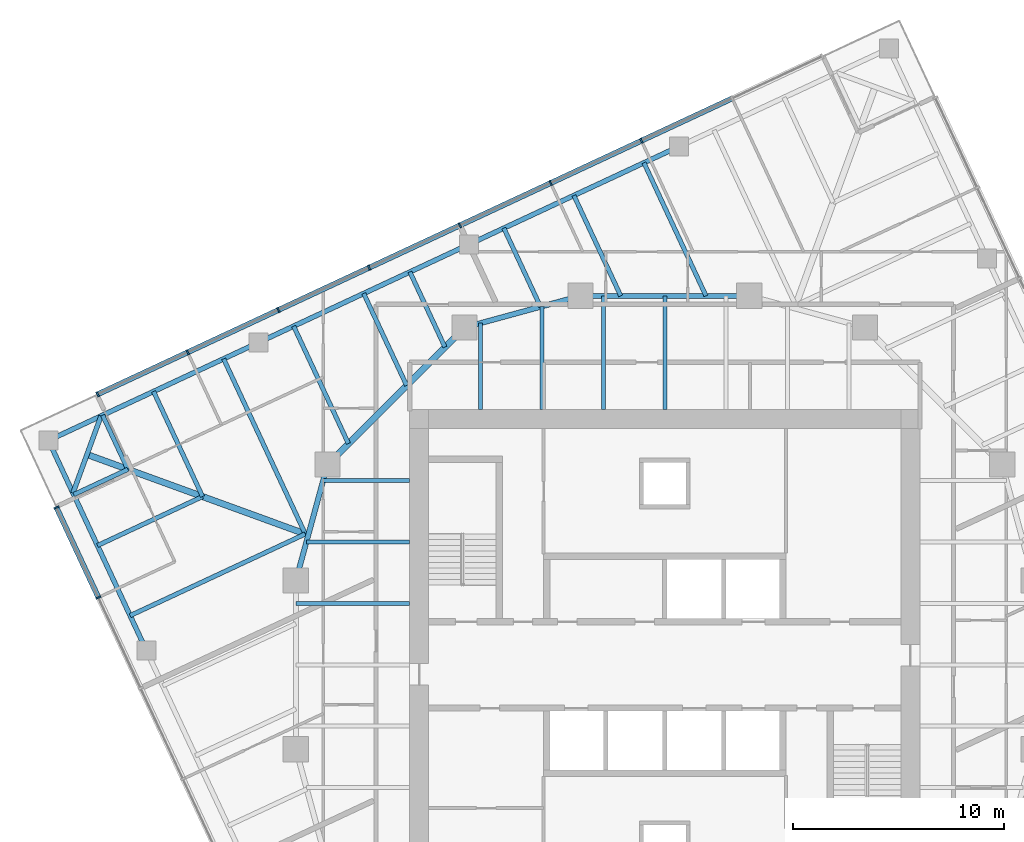
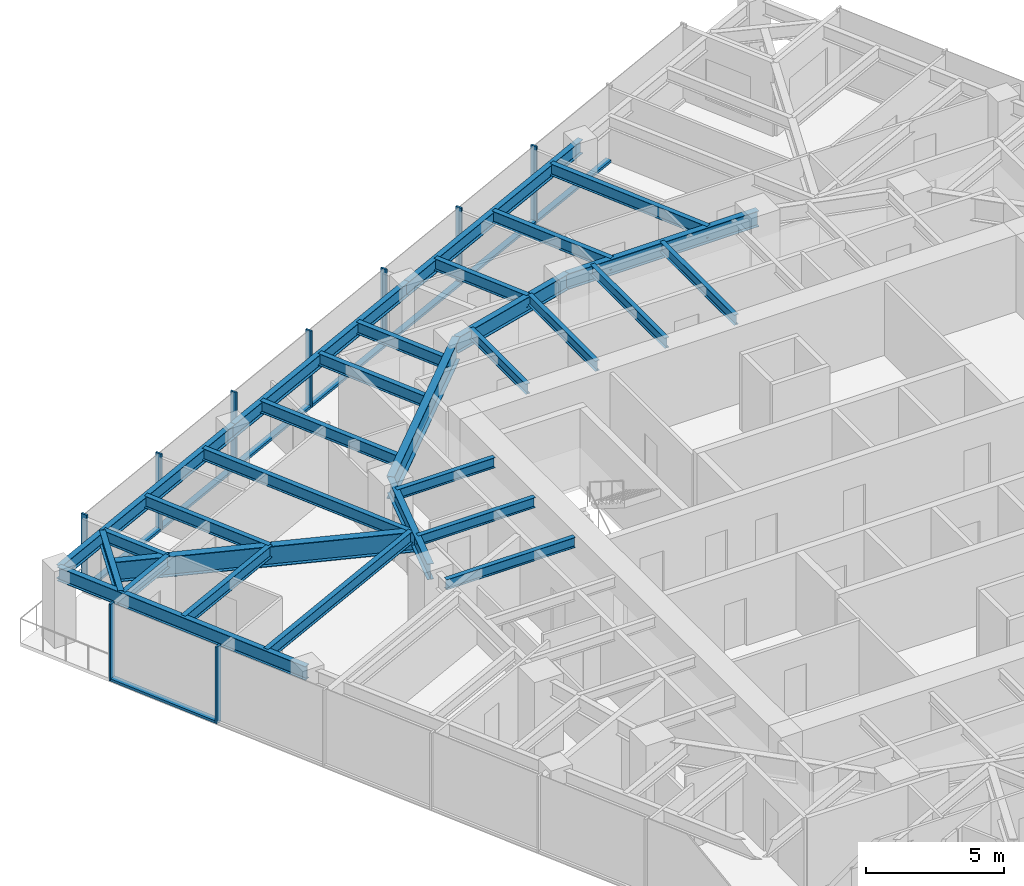
# One storey, part 4 of 12: 29 beams, 17 members, 2 elements without a shape of their own.
"""IFC4 building model written with IfcOpenShell, lengths in metres."""

from ifc_helpers import new_model, si_unit, direction, frame, origin, origin_2d, place, context, subcontext, project, spatial, rectangle, i_section, extrude, material, material_profile, profile_set, type_object, element, aggregate, save


model = new_model("IFC4")

# Units and contexts
model_context = context("Model", 3, precision=1e-05, world=origin(), true_north=direction((0.0, 1.0)))
body_context = subcontext(model_context, "Body", "Model", "MODEL_VIEW")
ifc_project = project(units=[si_unit("LENGTHUNIT", "METRE"), si_unit("AREAUNIT", "SQUARE_METRE"), si_unit("VOLUMEUNIT", "CUBIC_METRE"), si_unit("PLANEANGLEUNIT", "RADIAN"), si_unit("MASSUNIT", "GRAM", prefix="KILO")], contexts=[model_context])

# Site, building, storey
site_placement = place(None, origin())
site = spatial("IfcSite", under=ifc_project, at=site_placement, CompositionType="ELEMENT")
building_placement = place(site_placement, origin())
building = spatial("IfcBuilding", under=site, at=building_placement, Name="Torsade Residences", CompositionType="ELEMENT")
storey_placement = place(building_placement, frame((0.0, 0.0, 189.60009765625)))
storey = spatial("IfcBuildingStorey", under=building, at=storey_placement, Name="L52", CompositionType="ELEMENT", Elevation=189.60009765625)

# Beams
ifc_material_1 = material(Name="Steel grade 300", Category="steel")
ifc_material_profile_1 = material_profile(ifc_material_1, i_section(OverallWidth=0.300048828125, OverallDepth=0.89990234375, WebThickness=0.011962890625, FlangeThickness=0.02490234375, at=origin_2d()), Name="900WB175")
ifc_profile_set_1 = profile_set([ifc_material_profile_1], Name="Steel grade 300")
beam_type_1 = type_object("IfcBeamType", Name="CORNER GIRDER 900WB175", PredefinedType="BEAM", material=ifc_profile_set_1)
beam_1_placement = place(storey_placement, frame((12.5908203125, 39.97607421875, 2.7998046875), z_axis=(0.93969447651, -0.342015044723, 0.0), x_axis=(0.342015044723, 0.93969447651, 0.0)))
element("IfcBeam", 1, at=beam_1_placement, inside=storey, type_object=beam_type_1, Name="Corner girder 13 L53", PredefinedType="BEAM", context=body_context, shape_type="SweptSolid", body=[
    extrude(i_section(OverallWidth=0.300048828125, OverallDepth=0.89990234375, WebThickness=0.011962890625, FlangeThickness=0.02490234375, at=origin_2d()), origin(), (0.0, 0.0, 1.0), 11.170654296875),
])
ifc_material_2 = material(Name="Steel grade 300", Category="steel")
ifc_material_profile_2 = material_profile(ifc_material_2, i_section(OverallWidth=0.22802734375, OverallDepth=0.60205078125, WebThickness=0.010498046875, FlangeThickness=0.014892578125, FilletRadius=0.013916015625, at=origin_2d()), Name="610UB101")
ifc_profile_set_2 = profile_set([ifc_material_profile_2], Name="Steel grade 300")
beam_type_2 = type_object("IfcBeamType", Name="CORNER TRIMMER 610UB101", PredefinedType="BEAM", material=ifc_profile_set_2)
beam_2_placement = place(storey_placement, frame((11.92578125, 38.14892578125, 2.948974609375), z_axis=(0.342005152204, 0.939698076972, 0.0), x_axis=(-0.939698076972, 0.342005152204, 0.0)))
element("IfcBeam", 2, at=beam_2_placement, inside=storey, type_object=beam_type_2, Name="Corner trimmer 13 L53", PredefinedType="BEAM", context=body_context, shape_type="SweptSolid", body=[
    extrude(i_section(OverallWidth=0.22802734375, OverallDepth=0.60205078125, WebThickness=0.010498046875, FlangeThickness=0.014892578125, FilletRadius=0.013916015625, at=origin_2d()), origin(), (0.0, 0.0, 1.0), 3.88916015625),
])
ifc_material_3 = material(Name="Steel grade 300", Category="steel")
ifc_material_profile_3 = material_profile(ifc_material_3, i_section(OverallWidth=0.22900390625, OverallDepth=0.612060546875, WebThickness=0.011962890625, FlangeThickness=0.01953125, FilletRadius=0.013916015625, at=origin_2d()), Name="610UB125")
ifc_profile_set_3 = profile_set([ifc_material_profile_3], Name="Steel grade 300")
beam_type_3 = type_object("IfcBeamType", Name="EDGE BEAM 610UB125", PredefinedType="SPANDREL", material=ifc_profile_set_3)
beam_3_placement = place(storey_placement, frame((40.671875, 54.587646484375, 2.94384765625), z_axis=(-0.906305009094, -0.422624219007, 0.0), x_axis=(0.422624219007, -0.906305009094, 0.0)))
element("IfcBeam", 3, at=beam_3_placement, inside=storey, type_object=beam_type_3, Name="Edge beam 10 L53", PredefinedType="SPANDREL", context=body_context, shape_type="SweptSolid", body=[
    extrude(i_section(OverallWidth=0.22900390625, OverallDepth=0.612060546875, WebThickness=0.011962890625, FlangeThickness=0.01953125, FilletRadius=0.013916015625, at=origin_2d()), origin(), (0.0, 0.0, 1.0), 11.000244140625),
])
for number, where, z_axis, x_axis, name in (
    (4, (30.702392578125, 49.938720703125, 2.94384765625), (-0.906313510001, -0.422605988587, 0.0), (0.422605988587, -0.906313510001, 0.0), "Edge beam 11 L53"),
    (5, (20.73291015625, 45.2900390625, 2.94384765625), (-0.90630104482, -0.422632720171, 0.0), (0.422632720171, -0.90630104482, 0.0), "Edge beam 12 L53"),
):
    element("IfcBeam", number, at=place(storey_placement, frame(where, z_axis=z_axis, x_axis=x_axis)), inside=storey, type_object=beam_type_3, Name=name, PredefinedType="SPANDREL", context=body_context, shape_type="SweptSolid", body=[
        extrude(i_section(OverallWidth=0.22900390625, OverallDepth=0.612060546875, WebThickness=0.011962890625, FlangeThickness=0.01953125, FilletRadius=0.013916015625, at=origin_2d()), origin(), (0.0, 0.0, 1.0), 11.0),
    ])
beam_4_placement = place(storey_placement, frame((10.763671875, 40.64111328125, 2.94384765625), z_axis=(0.422614489543, -0.906309546032, 0.0), x_axis=(0.906309546032, 0.422614489543, 0.0)))
element("IfcBeam", 6, at=beam_4_placement, inside=storey, type_object=beam_type_3, Name="Edge beam 13 L53", PredefinedType="SPANDREL", context=body_context, shape_type="SweptSolid", body=[
    extrude(i_section(OverallWidth=0.22900390625, OverallDepth=0.612060546875, WebThickness=0.011962890625, FlangeThickness=0.01953125, FilletRadius=0.013916015625, at=origin_2d()), origin(), (0.0, 0.0, 1.0), 10.999755859375),
])
ifc_material_4 = material(Name="Steel grade 300", Category="steel")
ifc_material_profile_4 = material_profile(ifc_material_4, i_section(OverallWidth=0.18994140625, OverallDepth=0.4541015625, WebThickness=0.008544921875, FlangeThickness=0.0126953125, FilletRadius=0.011474609375, at=origin_2d()), Name="460UB67.1")
ifc_profile_set_4 = profile_set([ifc_material_profile_4], Name="Steel grade 300")
beam_type_4 = type_object("IfcBeamType", Name="INNER FLOOR BEAM 460UB67.1", PredefinedType="JOIST", material=ifc_profile_set_4)
beam_5_placement = place(storey_placement, frame((31.262451171875, 42.10009765625, 3.02294921875), z_axis=(0.0, 1.0, 0.0), x_axis=(-1.0, 0.0, 0.0)))
element("IfcBeam", 7, at=beam_5_placement, inside=storey, type_object=beam_type_4, Name="Inner floor beam IN01 L53", PredefinedType="JOIST", context=body_context, shape_type="SweptSolid", body=[
    extrude(i_section(OverallWidth=0.18994140625, OverallDepth=0.4541015625, WebThickness=0.008544921875, FlangeThickness=0.0126953125, FilletRadius=0.011474609375, at=origin_2d()), origin(), (0.0, 0.0, 1.0), 4.10791015625),
])
beam_6_placement = place(storey_placement, frame((34.175048828125, 42.10009765625, 3.02294921875), z_axis=(0.0, 1.0, 0.0), x_axis=(-1.0, 0.0, 0.0)))
element("IfcBeam", 8, at=beam_6_placement, inside=storey, type_object=beam_type_4, Name="Inner floor beam IN02 L53", PredefinedType="JOIST", context=body_context, shape_type="SweptSolid", body=[
    extrude(i_section(OverallWidth=0.18994140625, OverallDepth=0.4541015625, WebThickness=0.008544921875, FlangeThickness=0.0126953125, FilletRadius=0.011474609375, at=origin_2d()), origin(), (0.0, 0.0, 1.0), 4.902099609375),
])
for number, where, z_axis, x_axis, name in (
    (9, (37.08740234375, 42.10009765625, 3.02294921875), (0.0, 1.0, 0.0), (-1.0, 0.0, 0.0), "Inner floor beam IN03 L53"),
    (10, (40.0, 42.10009765625, 3.02294921875), (0.0, 1.0, 0.0), (-1.0, 0.0, 0.0), "Inner floor beam IN04 L53"),
):
    element("IfcBeam", number, at=place(storey_placement, frame(where, z_axis=z_axis, x_axis=x_axis)), inside=storey, type_object=beam_type_4, Name=name, PredefinedType="JOIST", context=body_context, shape_type="SweptSolid", body=[
        extrude(i_section(OverallWidth=0.18994140625, OverallDepth=0.4541015625, WebThickness=0.008544921875, FlangeThickness=0.0126953125, FilletRadius=0.011474609375, at=origin_2d()), origin(), (0.0, 0.0, 1.0), 5.39990234375),
    ])
beam_7_placement = place(storey_placement, frame((27.89990234375, 38.737548828125, 3.02294921875), z_axis=(-1.0, 0.0, 0.0), x_axis=(0.0, -1.0, 0.0)))
element("IfcBeam", 11, at=beam_7_placement, inside=storey, type_object=beam_type_4, Name="Inner floor beam IW01 L53", PredefinedType="JOIST", context=body_context, shape_type="SweptSolid", body=[
    extrude(i_section(OverallWidth=0.18994140625, OverallDepth=0.4541015625, WebThickness=0.008544921875, FlangeThickness=0.0126953125, FilletRadius=0.011474609375, at=origin_2d()), origin(), (0.0, 0.0, 1.0), 4.10791015625),
])
beam_8_placement = place(storey_placement, frame((27.89990234375, 35.824951171875, 3.02294921875), z_axis=(-1.0, 0.0, 0.0), x_axis=(0.0, -1.0, 0.0)))
element("IfcBeam", 12, at=beam_8_placement, inside=storey, type_object=beam_type_4, Name="Inner floor beam IW02 L53", PredefinedType="JOIST", context=body_context, shape_type="SweptSolid", body=[
    extrude(i_section(OverallWidth=0.18994140625, OverallDepth=0.4541015625, WebThickness=0.008544921875, FlangeThickness=0.0126953125, FilletRadius=0.011474609375, at=origin_2d()), origin(), (0.0, 0.0, 1.0), 4.902099609375),
])
beam_9_placement = place(storey_placement, frame((27.89990234375, 32.91259765625, 3.02294921875), z_axis=(-1.0, 0.0, 0.0), x_axis=(0.0, -1.0, 0.0)))
element("IfcBeam", 13, at=beam_9_placement, inside=storey, type_object=beam_type_4, Name="Inner floor beam IW03 L53", PredefinedType="JOIST", context=body_context, shape_type="SweptSolid", body=[
    extrude(i_section(OverallWidth=0.18994140625, OverallDepth=0.4541015625, WebThickness=0.008544921875, FlangeThickness=0.0126953125, FilletRadius=0.011474609375, at=origin_2d()), origin(), (0.0, 0.0, 1.0), 5.39990234375),
])

# Curtain wall, members
ifc_material_5 = material(Name="Aluminium and glass", Category="aluminium")
curtain_wall_type = type_object("IfcCurtainWallType", Name="FRITTED GLASS CURTAIN WALL MID ZONE", PredefinedType="NOTDEFINED", material=ifc_material_5)
curtain_wall_1_placement = place(storey_placement, origin())
curtain_wall_1 = element("IfcCurtainWall", 14, at=curtain_wall_1_placement, inside=storey, type_object=curtain_wall_type, Name="Curtain wall L52 face 7", PredefinedType="NOTDEFINED")
ifc_material_6 = material(Name="Aluminium mullion", Category="aluminium")
ifc_material_profile_5 = material_profile(ifc_material_6, rectangle(XDim=0.25, YDim=0.080078125, at=origin_2d()), Name="MID ZONE CURTAIN WALL MULLION 250x80")
ifc_profile_set_5 = profile_set([ifc_material_profile_5], Name="Aluminium mullion")
member_type_1 = type_object("IfcMemberType", Name="MID ZONE CURTAIN WALL MULLION 250x80", PredefinedType="MULLION", material=ifc_profile_set_5)
member_1_placement = place(storey_placement, frame((38.8896484375, 54.85986328125, 0.0), z_axis=(0.0, 0.0, 1.0), x_axis=(0.422618261978, -0.906307786926, 0.0)))
member_1 = element("IfcMember", 15, at=member_1_placement, type_object=member_type_1, Name="Mullion 3", PredefinedType="MULLION", context=body_context, shape_type="SweptSolid", body=[
    extrude(rectangle(XDim=0.25, YDim=0.080078125, at=origin_2d()), origin(), (0.0, 0.0, 1.0), 3.39990234375),
])
member_2_placement = place(storey_placement, frame((34.584716796875, 52.8525390625, 0.0), z_axis=(0.0, 0.0, 1.0), x_axis=(0.422618261978, -0.906307786926, 0.0)))
member_2 = element("IfcMember", 16, at=member_2_placement, type_object=member_type_1, Name="Mullion 4", PredefinedType="MULLION", context=body_context, shape_type="SweptSolid", body=[
    extrude(rectangle(XDim=0.25, YDim=0.080078125, at=origin_2d()), origin(), (0.0, 0.0, 1.0), 3.39990234375),
])
member_3_placement = place(storey_placement, frame((30.27978515625, 50.844970703125, 0.0), z_axis=(0.0, 0.0, 1.0), x_axis=(0.422618261978, -0.906307786926, 0.0)))
member_3 = element("IfcMember", 17, at=member_3_placement, type_object=member_type_1, Name="Mullion 5", PredefinedType="MULLION", context=body_context, shape_type="SweptSolid", body=[
    extrude(rectangle(XDim=0.25, YDim=0.080078125, at=origin_2d()), origin(), (0.0, 0.0, 1.0), 3.39990234375),
])
member_4_placement = place(storey_placement, frame((25.974853515625, 48.837646484375, 0.0), z_axis=(0.0, 0.0, 1.0), x_axis=(0.422618261978, -0.906307786926, 0.0)))
member_4 = element("IfcMember", 18, at=member_4_placement, type_object=member_type_1, Name="Mullion 6", PredefinedType="MULLION", context=body_context, shape_type="SweptSolid", body=[
    extrude(rectangle(XDim=0.25, YDim=0.080078125, at=origin_2d()), origin(), (0.0, 0.0, 1.0), 3.39990234375),
])
member_5_placement = place(storey_placement, frame((21.669921875, 46.830322265625, 0.0), z_axis=(0.0, 0.0, 1.0), x_axis=(0.422618261978, -0.906307786926, 0.0)))
member_5 = element("IfcMember", 19, at=member_5_placement, type_object=member_type_1, Name="Mullion 7", PredefinedType="MULLION", context=body_context, shape_type="SweptSolid", body=[
    extrude(rectangle(XDim=0.25, YDim=0.080078125, at=origin_2d()), origin(), (0.0, 0.0, 1.0), 3.39990234375),
])
member_6_placement = place(storey_placement, frame((17.364990234375, 44.82275390625, 0.0), z_axis=(0.0, 0.0, 1.0), x_axis=(0.422618261978, -0.906307786926, 0.0)))
member_6 = element("IfcMember", 20, at=member_6_placement, type_object=member_type_1, Name="Mullion 8", PredefinedType="MULLION", context=body_context, shape_type="SweptSolid", body=[
    extrude(rectangle(XDim=0.25, YDim=0.080078125, at=origin_2d()), origin(), (0.0, 0.0, 1.0), 3.39990234375),
])
member_7_placement = place(storey_placement, frame((13.09619140625, 42.832275390625, 0.0), z_axis=(0.0, 0.0, 1.0), x_axis=(0.422618261978, -0.906307786926, 0.0)))
member_7 = element("IfcMember", 21, at=member_7_placement, type_object=member_type_1, Name="Mullion 9", PredefinedType="MULLION", context=body_context, shape_type="SweptSolid", body=[
    extrude(rectangle(XDim=0.25, YDim=0.080078125, at=origin_2d()), origin(), (0.0, 0.0, 1.0), 3.39990234375),
])

curtain_wall_2_placement = place(storey_placement, origin())
curtain_wall_2 = element("IfcCurtainWall", 22, at=curtain_wall_2_placement, inside=storey, type_object=curtain_wall_type, Name="Curtain wall L52 face 10", PredefinedType="NOTDEFINED")
member_8_placement = place(storey_placement, frame((11.14208984375, 37.46337890625, 0.0), z_axis=(0.0, 0.0, 1.0), x_axis=(0.906307786926, 0.422618261978, 0.0)))
member_8 = element("IfcMember", 23, at=member_8_placement, type_object=member_type_1, Name="Mullion 1", PredefinedType="MULLION", context=body_context, shape_type="SweptSolid", body=[
    extrude(rectangle(XDim=0.25, YDim=0.080078125, at=origin_2d()), origin(), (0.0, 0.0, 1.0), 3.39990234375),
])
member_9_placement = place(storey_placement, frame((13.132568359375, 33.194580078125, 0.0), z_axis=(0.0, 0.0, 1.0), x_axis=(0.906307786926, 0.422618261978, 0.0)))
member_9 = element("IfcMember", 24, at=member_9_placement, type_object=member_type_1, Name="Mullion 2", PredefinedType="MULLION", context=body_context, shape_type="SweptSolid", body=[
    extrude(rectangle(XDim=0.25, YDim=0.080078125, at=origin_2d()), origin(), (0.0, 0.0, 1.0), 3.39990234375),
])

# Member
ifc_material_7 = material(Name="Aluminium transom", Category="aluminium")
ifc_material_profile_6 = material_profile(ifc_material_7, rectangle(XDim=0.25, YDim=0.110107421875, at=origin_2d()), Name="MID ZONE CURTAIN WALL TRANSOM 250x110")
ifc_profile_set_6 = profile_set([ifc_material_profile_6], Name="Aluminium transom")
member_type_2 = type_object("IfcMemberType", Name="MID ZONE CURTAIN WALL TRANSOM 250x110", PredefinedType="USERDEFINED", material=ifc_profile_set_6)
member_10_placement = place(storey_placement, frame((43.158447265625, 56.8505859375, 0.054931640625), z_axis=(-0.906305976097, -0.422622145291, 0.0), x_axis=(0.422622145291, -0.906305976097, 0.0)))
member_10 = element("IfcMember", 25, at=member_10_placement, type_object=member_type_2, Name="Transom 2.1", ObjectType="TRANSOM", PredefinedType="USERDEFINED", context=body_context, shape_type="SweptSolid", body=[
    extrude(rectangle(XDim=0.25, YDim=0.110107421875, at=origin_2d()), origin(), (0.0, 0.0, 1.0), 4.669921875),
])

member_11_placement = place(storey_placement, frame((38.853515625, 54.843017578125, 0.054931640625), z_axis=(-0.906305976097, -0.422622145291, 0.0), x_axis=(0.422622145291, -0.906305976097, 0.0)))
member_11 = element("IfcMember", 26, at=member_11_placement, type_object=member_type_2, Name="Transom 3.1", ObjectType="TRANSOM", PredefinedType="USERDEFINED", context=body_context, shape_type="SweptSolid", body=[
    extrude(rectangle(XDim=0.25, YDim=0.110107421875, at=origin_2d()), origin(), (0.0, 0.0, 1.0), 4.669921875),
])

member_12_placement = place(storey_placement, frame((34.548583984375, 52.835693359375, 0.054931640625), z_axis=(-0.90631531293, -0.422602122035, 0.0), x_axis=(0.422602122035, -0.90631531293, 0.0)))
member_12 = element("IfcMember", 27, at=member_12_placement, type_object=member_type_2, Name="Transom 4.1", ObjectType="TRANSOM", PredefinedType="USERDEFINED", context=body_context, shape_type="SweptSolid", body=[
    extrude(rectangle(XDim=0.25, YDim=0.110107421875, at=origin_2d()), origin(), (0.0, 0.0, 1.0), 4.670166015625),
])

member_13_placement = place(storey_placement, frame((30.243408203125, 50.828125, 0.054931640625), z_axis=(-0.906305976097, -0.422622145291, 0.0), x_axis=(0.422622145291, -0.906305976097, 0.0)))
member_13 = element("IfcMember", 28, at=member_13_placement, type_object=member_type_2, Name="Transom 5.1", ObjectType="TRANSOM", PredefinedType="USERDEFINED", context=body_context, shape_type="SweptSolid", body=[
    extrude(rectangle(XDim=0.25, YDim=0.110107421875, at=origin_2d()), origin(), (0.0, 0.0, 1.0), 4.669921875),
])

member_14_placement = place(storey_placement, frame((25.9384765625, 48.82080078125, 0.054931640625), z_axis=(-0.906305976097, -0.422622145291, 0.0), x_axis=(0.422622145291, -0.906305976097, 0.0)))
member_14 = element("IfcMember", 29, at=member_14_placement, type_object=member_type_2, Name="Transom 6.1", ObjectType="TRANSOM", PredefinedType="USERDEFINED", context=body_context, shape_type="SweptSolid", body=[
    extrude(rectangle(XDim=0.25, YDim=0.110107421875, at=origin_2d()), origin(), (0.0, 0.0, 1.0), 4.669921875),
])

member_15_placement = place(storey_placement, frame((21.633544921875, 46.813232421875, 0.054931640625), z_axis=(-0.906305976097, -0.422622145291, 0.0), x_axis=(0.422622145291, -0.906305976097, 0.0)))
member_15 = element("IfcMember", 30, at=member_15_placement, type_object=member_type_2, Name="Transom 7.1", ObjectType="TRANSOM", PredefinedType="USERDEFINED", context=body_context, shape_type="SweptSolid", body=[
    extrude(rectangle(XDim=0.25, YDim=0.110107421875, at=origin_2d()), origin(), (0.0, 0.0, 1.0), 4.669921875),
])

member_16_placement = place(storey_placement, frame((17.32861328125, 44.805908203125, 0.054931640625), z_axis=(-0.906305687176, -0.422622764878, 0.0), x_axis=(0.422622764878, -0.906305687176, 0.0)))
member_16 = element("IfcMember", 31, at=member_16_placement, type_object=member_type_2, Name="Transom 8.1", ObjectType="TRANSOM", PredefinedType="USERDEFINED", context=body_context, shape_type="SweptSolid", body=[
    extrude(rectangle(XDim=0.25, YDim=0.110107421875, at=origin_2d()), origin(), (0.0, 0.0, 1.0), 4.630126953125),
])

aggregate(curtain_wall_1, [member_1, member_2, member_3, member_4, member_5, member_6, member_7, member_10, member_11, member_12, member_13, member_14, member_15, member_16])

member_17_placement = place(storey_placement, frame((11.158935546875, 37.427001953125, 0.054931640625), z_axis=(0.422642962277, -0.906296268578, 0.0), x_axis=(0.906296268578, 0.422642962277, 0.0)))
member_17 = element("IfcMember", 32, at=member_17_placement, type_object=member_type_2, Name="Transom 1.1", ObjectType="TRANSOM", PredefinedType="USERDEFINED", context=body_context, shape_type="SweptSolid", body=[
    extrude(rectangle(XDim=0.25, YDim=0.110107421875, at=origin_2d()), origin(), (0.0, 0.0, 1.0), 4.6298828125),
])

aggregate(curtain_wall_2, [member_8, member_9, member_17])

# Beams
ifc_material_8 = material(Name="Steel grade 300", Category="steel")
ifc_material_profile_7 = material_profile(ifc_material_8, i_section(OverallWidth=0.300048828125, OverallDepth=1.0, WebThickness=0.01611328125, FlangeThickness=0.028076171875, at=origin_2d()), Name="1000WB215")
ifc_profile_set_7 = profile_set([ifc_material_profile_7], Name="Steel grade 300")
beam_type_5 = type_object("IfcBeamType", Name="RING CORNER GIRDER 1000WB215", PredefinedType="BEAM", material=ifc_profile_set_7)
beam_10_placement = place(storey_placement, frame((30.5, 46.0, 2.75), z_axis=(-0.707106781187, -0.707106781187, 0.0), x_axis=(0.707106781187, -0.707106781187, 0.0)))
element("IfcBeam", 33, at=beam_10_placement, inside=storey, type_object=beam_type_5, Name="Ring girder IR07 L53", PredefinedType="BEAM", context=body_context, shape_type="SweptSolid", body=[
    extrude(i_section(OverallWidth=0.300048828125, OverallDepth=1.0, WebThickness=0.01611328125, FlangeThickness=0.028076171875, at=origin_2d()), origin(), (0.0, 0.0, 1.0), 9.1923828125),
])
ifc_material_9 = material(Name="Steel grade 300", Category="steel")
ifc_material_profile_8 = material_profile(ifc_material_9, i_section(OverallWidth=0.25, OverallDepth=0.699951171875, WebThickness=0.010009765625, FlangeThickness=0.02001953125, at=origin_2d()), Name="700WB130")
ifc_profile_set_8 = profile_set([ifc_material_profile_8], Name="Steel grade 300")
beam_type_6 = type_object("IfcBeamType", Name="RING GIRDER 700WB130", PredefinedType="BEAM", material=ifc_profile_set_8)
beam_11_placement = place(storey_placement, frame((44.0, 47.5, 2.89990234375), z_axis=(-1.0, 0.0, 0.0), x_axis=(0.0, -1.0, 0.0)))
element("IfcBeam", 34, at=beam_11_placement, inside=storey, type_object=beam_type_6, Name="Ring girder IR05 L53", PredefinedType="BEAM", context=body_context, shape_type="SweptSolid", body=[
    extrude(i_section(OverallWidth=0.25, OverallDepth=0.699951171875, WebThickness=0.010009765625, FlangeThickness=0.02001953125, at=origin_2d()), origin(), (0.0, 0.0, 1.0), 8.0),
])
for number, where, z_axis, x_axis, name in (
    (35, (36.0, 47.5, 2.89990234375), (-0.964763821238, -0.263117405792, 0.0), (0.263117405792, -0.964763821238, 0.0), "Ring girder IR06 L53"),
    (36, (24.0, 39.5, 2.89990234375), (-0.263117405792, -0.964763821238, 0.0), (0.964763821238, -0.263117405792, 0.0), "Ring girder IR08 L53"),
):
    element("IfcBeam", number, at=place(storey_placement, frame(where, z_axis=z_axis, x_axis=x_axis)), inside=storey, type_object=beam_type_6, Name=name, PredefinedType="BEAM", context=body_context, shape_type="SweptSolid", body=[
        extrude(i_section(OverallWidth=0.25, OverallDepth=0.699951171875, WebThickness=0.010009765625, FlangeThickness=0.02001953125, at=origin_2d()), origin(), (0.0, 0.0, 1.0), 5.700927734375),
    ])
ifc_material_10 = material(Name="Steel grade 300", Category="steel")
ifc_material_profile_9 = material_profile(ifc_material_10, i_section(OverallWidth=0.208984375, OverallDepth=0.528076171875, WebThickness=0.009521484375, FlangeThickness=0.01318359375, FilletRadius=0.013916015625, at=origin_2d()), Name="530UB82.0")
ifc_profile_set_9 = profile_set([ifc_material_profile_9], Name="Steel grade 300")
beam_type_7 = type_object("IfcBeamType", Name="SECONDARY BEAM 530UB82.0", PredefinedType="JOIST", material=ifc_profile_set_9)
beam_12_placement = place(storey_placement, frame((39.01025390625, 53.812744140625, 2.98583984375), z_axis=(0.422609131726, -0.906312044376, 0.0), x_axis=(0.906312044376, 0.422609131726, 0.0)))
element("IfcBeam", 37, at=beam_12_placement, inside=storey, type_object=beam_type_7, Name="Floor beam FN04 L53", PredefinedType="JOIST", context=body_context, shape_type="SweptSolid", body=[
    extrude(i_section(OverallWidth=0.208984375, OverallDepth=0.528076171875, WebThickness=0.009521484375, FlangeThickness=0.01318359375, FilletRadius=0.013916015625, at=origin_2d()), origin(), (0.0, 0.0, 1.0), 6.96533203125),
])
beam_13_placement = place(storey_placement, frame((35.68701171875, 52.26318359375, 2.98583984375), z_axis=(0.422631142882, -0.90630178035, 0.0), x_axis=(0.90630178035, 0.422631142882, 0.0)))
element("IfcBeam", 38, at=beam_13_placement, inside=storey, type_object=beam_type_7, Name="Floor beam FN05 L53", PredefinedType="JOIST", context=body_context, shape_type="SweptSolid", body=[
    extrude(i_section(OverallWidth=0.208984375, OverallDepth=0.528076171875, WebThickness=0.009521484375, FlangeThickness=0.01318359375, FilletRadius=0.013916015625, at=origin_2d()), origin(), (0.0, 0.0, 1.0), 5.255615234375),
])
beam_14_placement = place(storey_placement, frame((32.364013671875, 50.713623046875, 2.98583984375), z_axis=(0.422635442612, -0.906299775267, 0.0), x_axis=(0.906299775267, 0.422635442612, 0.0)))
element("IfcBeam", 39, at=beam_14_placement, inside=storey, type_object=beam_type_7, Name="Floor beam FN06 L53", PredefinedType="JOIST", context=body_context, shape_type="SweptSolid", body=[
    extrude(i_section(OverallWidth=0.208984375, OverallDepth=0.528076171875, WebThickness=0.009521484375, FlangeThickness=0.01318359375, FilletRadius=0.013916015625, at=origin_2d()), origin(), (0.0, 0.0, 1.0), 4.116455078125),
])
beam_15_placement = place(storey_placement, frame((27.907958984375, 48.6357421875, 2.98583984375), z_axis=(0.422644222818, -0.906295680735, 0.0), x_axis=(0.906295680735, 0.422644222818, 0.0)))
element("IfcBeam", 40, at=beam_15_placement, inside=storey, type_object=beam_type_7, Name="Floor beam FN07 L53", PredefinedType="JOIST", context=body_context, shape_type="SweptSolid", body=[
    extrude(i_section(OverallWidth=0.208984375, OverallDepth=0.528076171875, WebThickness=0.009521484375, FlangeThickness=0.01318359375, FilletRadius=0.013916015625, at=origin_2d()), origin(), (0.0, 0.0, 1.0), 3.933837890625),
])
beam_16_placement = place(storey_placement, frame((25.7177734375, 47.6142578125, 2.98583984375), z_axis=(0.422618876857, -0.906307500203, 0.0), x_axis=(0.906307500203, 0.422618876857, 0.0)))
element("IfcBeam", 41, at=beam_16_placement, inside=storey, type_object=beam_type_7, Name="Floor beam FN08 L53", PredefinedType="JOIST", context=body_context, shape_type="SweptSolid", body=[
    extrude(i_section(OverallWidth=0.208984375, OverallDepth=0.528076171875, WebThickness=0.009521484375, FlangeThickness=0.01318359375, FilletRadius=0.013916015625, at=origin_2d()), origin(), (0.0, 0.0, 1.0), 4.813232421875),
])
beam_17_placement = place(storey_placement, frame((22.39453125, 46.064697265625, 2.98583984375), z_axis=(0.42264848683, -0.906293692233, 0.0), x_axis=(0.906293692233, 0.42264848683, 0.0)))
element("IfcBeam", 42, at=beam_17_placement, inside=storey, type_object=beam_type_7, Name="Floor beam FN09 L53", PredefinedType="JOIST", context=body_context, shape_type="SweptSolid", body=[
    extrude(i_section(OverallWidth=0.208984375, OverallDepth=0.528076171875, WebThickness=0.009521484375, FlangeThickness=0.01318359375, FilletRadius=0.013916015625, at=origin_2d()), origin(), (0.0, 0.0, 1.0), 6.14794921875),
])
beam_18_placement = place(storey_placement, frame((19.071533203125, 44.51513671875, 2.98583984375), z_axis=(0.422618627092, -0.90630761667, 0.0), x_axis=(0.90630761667, 0.422618627092, 0.0)))
element("IfcBeam", 43, at=beam_18_placement, inside=storey, type_object=beam_type_7, Name="Floor beam FN10 L53", PredefinedType="JOIST", context=body_context, shape_type="SweptSolid", body=[
    extrude(i_section(OverallWidth=0.208984375, OverallDepth=0.528076171875, WebThickness=0.009521484375, FlangeThickness=0.01318359375, FilletRadius=0.013916015625, at=origin_2d()), origin(), (0.0, 0.0, 1.0), 9.166748046875),
])
beam_19_placement = place(storey_placement, frame((15.748291015625, 42.965576171875, 2.98583984375), z_axis=(0.422632720171, -0.90630104482, 0.0), x_axis=(0.90630104482, 0.422632720171, 0.0)))
element("IfcBeam", 44, at=beam_19_placement, inside=storey, type_object=beam_type_7, Name="Floor beam FN11 L53", PredefinedType="JOIST", context=body_context, shape_type="SweptSolid", body=[
    extrude(i_section(OverallWidth=0.208984375, OverallDepth=0.528076171875, WebThickness=0.009521484375, FlangeThickness=0.01318359375, FilletRadius=0.013916015625, at=origin_2d()), origin(), (0.0, 0.0, 1.0), 5.5),
])
for number, where, z_axis, x_axis, name in (
    (45, (13.33154296875, 41.838623046875, 2.98583984375), (0.42257409885, -0.906328379221, 0.0), (0.906328379221, 0.42257409885, 0.0), "Floor beam FN12 L53"),
    (46, (11.9609375, 38.0732421875, 2.98583984375), (0.906295375613, 0.422644877104, 0.0), (-0.422644877104, 0.906295375613, 0.0), "Floor beam FW01 L53"),
):
    element("IfcBeam", number, at=place(storey_placement, frame(where, z_axis=z_axis, x_axis=x_axis)), inside=storey, type_object=beam_type_7, Name=name, PredefinedType="JOIST", context=body_context, shape_type="SweptSolid", body=[
        extrude(i_section(OverallWidth=0.208984375, OverallDepth=0.528076171875, WebThickness=0.009521484375, FlangeThickness=0.01318359375, FilletRadius=0.013916015625, at=origin_2d()), origin(), (0.0, 0.0, 1.0), 2.833251953125),
    ])
beam_20_placement = place(storey_placement, frame((13.088134765625, 35.656494140625, 2.98583984375), z_axis=(0.90630104482, 0.422632720171, 0.0), x_axis=(-0.422632720171, 0.90630104482, 0.0)))
element("IfcBeam", 47, at=beam_20_placement, inside=storey, type_object=beam_type_7, Name="Floor beam FW02 L53", PredefinedType="JOIST", context=body_context, shape_type="SweptSolid", body=[
    extrude(i_section(OverallWidth=0.208984375, OverallDepth=0.528076171875, WebThickness=0.009521484375, FlangeThickness=0.01318359375, FilletRadius=0.013916015625, at=origin_2d()), origin(), (0.0, 0.0, 1.0), 5.5),
])
beam_21_placement = place(storey_placement, frame((14.6376953125, 32.333251953125, 2.98583984375), z_axis=(0.90630761667, 0.422618627092, 0.0), x_axis=(-0.422618627092, 0.90630761667, 0.0)))
element("IfcBeam", 48, at=beam_21_placement, inside=storey, type_object=beam_type_7, Name="Floor beam FW03 L53", PredefinedType="JOIST", context=body_context, shape_type="SweptSolid", body=[
    extrude(i_section(OverallWidth=0.208984375, OverallDepth=0.528076171875, WebThickness=0.009521484375, FlangeThickness=0.01318359375, FilletRadius=0.013916015625, at=origin_2d()), origin(), (0.0, 0.0, 1.0), 9.166748046875),
])

save(model, "model.ifc")
